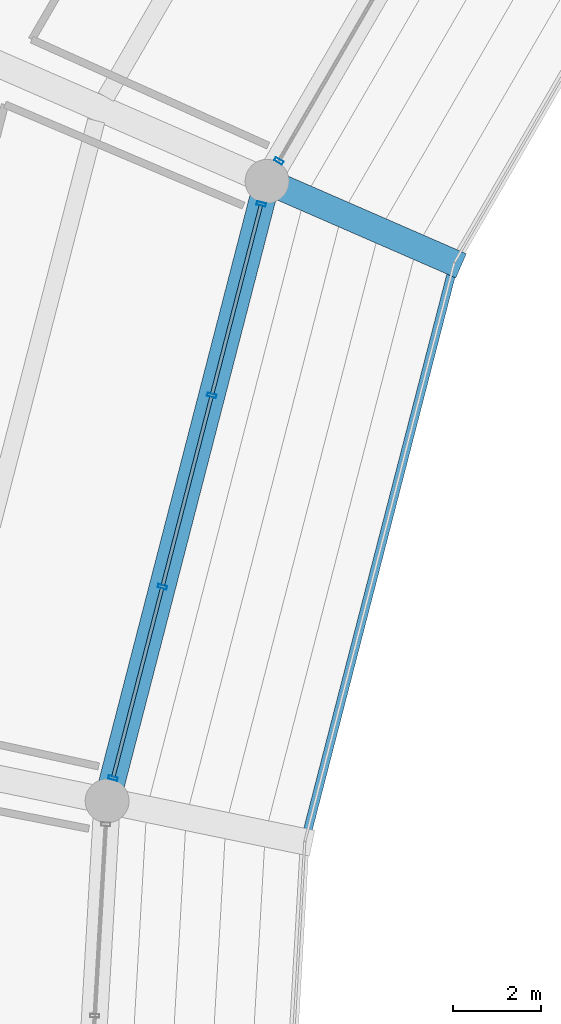
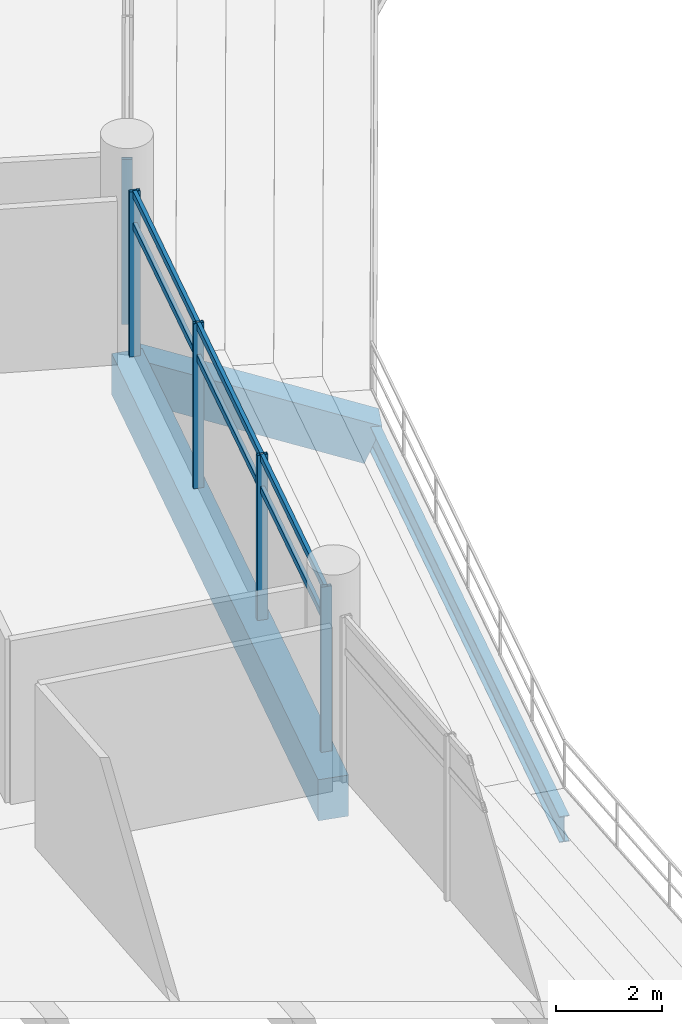
# One storey, part 45 of 171: 11 members, 3 beams, 2 elements without a shape of their own.
"""IFC4 building model written with IfcOpenShell, lengths in metres."""

from ifc_helpers import new_model, si_unit, direction, frame, origin, origin_2d, place, context, subcontext, project, spatial, rectangle, hollow_rectangle, i_section, extrude, material, layer, layer_set, material_profile, profile_set, type_object, element, aggregate, save


model = new_model("IFC4")

# Units and contexts
model_context = context("Model", 3, precision=1e-05, world=origin(), true_north=direction((0.0, 1.0)))
body_context = subcontext(model_context, "Body", "Model", "MODEL_VIEW")
ifc_project = project(units=[si_unit("LENGTHUNIT", "METRE"), si_unit("AREAUNIT", "SQUARE_METRE"), si_unit("VOLUMEUNIT", "CUBIC_METRE"), si_unit("PLANEANGLEUNIT", "RADIAN"), si_unit("MASSUNIT", "GRAM", prefix="KILO")], contexts=[model_context])

# Site, building, storey
site_placement = place(None, origin())
site = spatial("IfcSite", under=ifc_project, at=site_placement, CompositionType="ELEMENT")
building_placement = place(site_placement, origin())
building = spatial("IfcBuilding", under=site, at=building_placement, Name="Kazemori Nagisa Stadium", CompositionType="ELEMENT")
storey_placement = place(building_placement, frame((0.0, 0.0, 15.639892578125)))
storey = spatial("IfcBuildingStorey", under=building, at=storey_placement, Name="L03", CompositionType="ELEMENT", Elevation=15.639892578125)

# Beams
ifc_material_1 = material(Name="Concrete C40/50 (Fc42)", Category="concrete")
ifc_material_profile_1 = material_profile(ifc_material_1, rectangle(XDim=0.60009765625, YDim=0.949951171875, at=origin_2d()), Name="RC-BM-600x950")
ifc_profile_set_1 = profile_set([ifc_material_profile_1], Name="Concrete C40/50 (Fc42)")
beam_type_1 = type_object("IfcBeamType", Name="Beam_BG-RC600X950", PredefinedType="BEAM", material=ifc_profile_set_1)
beam_1_placement = place(storey_placement, frame((58.114013671875, 130.287109375, -0.73486328125), z_axis=(-0.249966077383, -0.9682545947, 0.0), x_axis=(0.9682545947, -0.249966077383, 0.0)))
element("IfcBeam", 1, at=beam_1_placement, inside=storey, type_object=beam_type_1, Name="Ring girder BG-RC600X950 L03 R1-13", PredefinedType="BEAM", context=body_context, shape_type="SweptSolid", body=[
    extrude(rectangle(XDim=0.60009765625, YDim=0.949951171875, at=origin_2d()), origin(), (0.0, 0.0, 1.0), 14.58984375),
])
ifc_material_2 = material(Name="Steel SN490B", Category="steel")
ifc_material_profile_2 = material_profile(ifc_material_2, i_section(OverallWidth=0.199951171875, OverallDepth=0.60009765625, WebThickness=0.010986328125, FlangeThickness=0.01708984375, FilletRadius=0.012939453125, at=origin_2d()), Name="H-600x200x11x17")
ifc_profile_set_2 = profile_set([ifc_material_profile_2], Name="Steel SN490B")
beam_type_2 = type_object("IfcBeamType", Name="Beam_BS-H600", PredefinedType="SPANDREL", material=ifc_profile_set_2)
beam_2_placement = place(storey_placement, frame((62.38037109375, 128.42724609375, -2.46484375), z_axis=(-0.249950064829, -0.968258728384, 0.0), x_axis=(0.968258728384, -0.249950064829, 0.0)))
element("IfcBeam", 2, at=beam_2_placement, inside=storey, type_object=beam_type_2, Name="Club tier front edge beam 13", PredefinedType="SPANDREL", context=body_context, shape_type="SweptSolid", body=[
    extrude(i_section(OverallWidth=0.199951171875, OverallDepth=0.60009765625, WebThickness=0.010986328125, FlangeThickness=0.01708984375, FilletRadius=0.012939453125, at=origin_2d()), origin(), (0.0, 0.0, 1.0), 13.630615234375),
])
ifc_material_profile_3 = material_profile(ifc_material_1, rectangle(XDim=0.60009765625, YDim=0.89990234375, at=origin_2d()), Name="RC-RK-600x900")
ifc_profile_set_3 = profile_set([ifc_material_profile_3], Name="Concrete C40/50 (Fc42)")
beam_type_3 = type_object("IfcBeamType", Name="Beam_RK-RC600X900", PredefinedType="USERDEFINED", material=ifc_profile_set_3)
beam_3_placement = place(storey_placement, frame((62.38037109375, 128.42724609375, -2.58984375), z_axis=(-0.848691975036, 0.369976278445, 0.377941113003), x_axis=(-0.399615937981, -0.916682661618, 0.0)))
element("IfcBeam", 3, at=beam_3_placement, inside=storey, type_object=beam_type_3, Name="Raker beam club RK2-13", ObjectType="RAKER BEAM", PredefinedType="USERDEFINED", context=body_context, shape_type="SweptSolid", body=[
    extrude(rectangle(XDim=0.60009765625, YDim=0.89990234375, at=origin_2d()), origin(), (0.0, 0.0, 1.0), 5.027099609375),
])

# Curtain wall, member
ifc_material_3 = material(Name="Anodised aluminium 6063-T5", Category="aluminium")
ifc_layer_1 = layer(ifc_material_3, 0.2099609375, Name="Anodised aluminium 6063-T5", Category="aluminium")
ifc_layer_set_1 = layer_set([ifc_layer_1], Name="Anodised aluminium 6063-T5")
curtain_wall_type_1 = type_object("IfcCurtainWallType", Name="CW_L03B_71", PredefinedType="USERDEFINED", material=ifc_layer_set_1)
curtain_wall_1_placement = place(storey_placement, origin())
curtain_wall_1 = element("IfcCurtainWall", 4, at=curtain_wall_1_placement, inside=storey, type_object=curtain_wall_type_1, Name="Unitised curtain wall CW-L03B-71 L03", ObjectType="UNITISED CURTAIN WALL", PredefinedType="USERDEFINED")
ifc_material_4 = material(Name="Aluminium 6063-T5 anodised", Category="aluminium")
ifc_material_profile_4 = material_profile(ifc_material_4, hollow_rectangle(XDim=0.080078125, YDim=0.2099609375, WallThickness=0.0048828125, at=origin_2d()), Name="ALU-MULL-80x210x5")
ifc_profile_set_4 = profile_set([ifc_material_profile_4], Name="Aluminium 6063-T5 anodised")
member_type_1 = type_object("IfcMemberType", Name="Mullion_M02", PredefinedType="MULLION", material=ifc_profile_set_4)
member_1_placement = place(storey_placement, frame((58.38232421875, 130.75, 0.0), z_axis=(0.0, 0.0, 1.0), x_axis=(-0.501611590054, -0.865092950337, 0.0)))
member_1 = element("IfcMember", 5, at=member_1_placement, type_object=member_type_1, Name="Curtain wall mullion CW-L03B-71-M4", PredefinedType="MULLION", context=body_context, shape_type="SweptSolid", body=[
    extrude(hollow_rectangle(XDim=0.080078125, YDim=0.2099609375, WallThickness=0.0048828125, at=origin_2d()), origin(), (0.0, 0.0, 1.0), 3.81005859375),
])
aggregate(curtain_wall_1, [member_1])

# Curtain wall, members
ifc_layer_2 = layer(ifc_material_3, 0.2099609375, Name="Anodised aluminium 6063-T5", Category="aluminium")
ifc_layer_set_2 = layer_set([ifc_layer_2], Name="Anodised aluminium 6063-T5")
curtain_wall_type_2 = type_object("IfcCurtainWallType", Name="CW_L03B_68", PredefinedType="USERDEFINED", material=ifc_layer_set_2)
curtain_wall_2_placement = place(storey_placement, origin())
curtain_wall_2 = element("IfcCurtainWall", 6, at=curtain_wall_2_placement, inside=storey, type_object=curtain_wall_type_2, Name="Unitised curtain wall CW-L03B-68 L03", ObjectType="UNITISED CURTAIN WALL", PredefinedType="USERDEFINED")
member_2_placement = place(storey_placement, frame((57.980224609375, 129.76904296875, 0.0), z_axis=(0.0, 0.0, 1.0), x_axis=(-0.249964642418, -0.968254965152, 0.0)))
member_2 = element("IfcMember", 7, at=member_2_placement, type_object=member_type_1, Name="Curtain wall mullion CW-L03B-68-M1", PredefinedType="MULLION", context=body_context, shape_type="SweptSolid", body=[
    extrude(hollow_rectangle(XDim=0.080078125, YDim=0.2099609375, WallThickness=0.0048828125, at=origin_2d()), origin(), (0.0, 0.0, 1.0), 3.81005859375),
])
member_3_placement = place(storey_placement, frame((56.853759765625, 125.405517578125, 0.0), z_axis=(0.0, 0.0, 1.0), x_axis=(-0.249964642418, -0.968254965152, 0.0)))
member_3 = element("IfcMember", 8, at=member_3_placement, type_object=member_type_1, Name="Curtain wall mullion CW-L03B-68-M2", PredefinedType="MULLION", context=body_context, shape_type="SweptSolid", body=[
    extrude(hollow_rectangle(XDim=0.080078125, YDim=0.2099609375, WallThickness=0.0048828125, at=origin_2d()), origin(), (0.0, 0.0, 1.0), 3.81005859375),
])
member_4_placement = place(storey_placement, frame((55.727294921875, 121.0419921875, 0.0), z_axis=(0.0, 0.0, 1.0), x_axis=(-0.249964642418, -0.968254965152, 0.0)))
member_4 = element("IfcMember", 9, at=member_4_placement, type_object=member_type_1, Name="Curtain wall mullion CW-L03B-68-M3", PredefinedType="MULLION", context=body_context, shape_type="SweptSolid", body=[
    extrude(hollow_rectangle(XDim=0.080078125, YDim=0.2099609375, WallThickness=0.0048828125, at=origin_2d()), origin(), (0.0, 0.0, 1.0), 3.81005859375),
])
member_5_placement = place(storey_placement, frame((54.600830078125, 116.67822265625, 0.0), z_axis=(0.0, 0.0, 1.0), x_axis=(-0.249964642418, -0.968254965152, 0.0)))
member_5 = element("IfcMember", 10, at=member_5_placement, type_object=member_type_1, Name="Curtain wall mullion CW-L03B-68-M4", PredefinedType="MULLION", context=body_context, shape_type="SweptSolid", body=[
    extrude(hollow_rectangle(XDim=0.080078125, YDim=0.2099609375, WallThickness=0.0048828125, at=origin_2d()), origin(), (0.0, 0.0, 1.0), 3.81005859375),
])
ifc_material_profile_5 = material_profile(ifc_material_4, hollow_rectangle(XDim=0.080078125, YDim=0.159912109375, WallThickness=0.00390625, at=origin_2d()), Name="ALU-TRAN-80x160x4")
ifc_profile_set_5 = profile_set([ifc_material_profile_5], Name="Aluminium 6063-T5 anodised")
member_type_2 = type_object("IfcMemberType", Name="Transom_T02", PredefinedType="USERDEFINED", material=ifc_profile_set_5)
member_6_placement = place(storey_placement, frame((57.975341796875, 129.749755859375, 3.010009765625), z_axis=(-0.25000034168, -0.96824574833, 0.0), x_axis=(0.96824574833, -0.25000034168, 0.0)))
member_6 = element("IfcMember", 11, at=member_6_placement, type_object=member_type_2, Name="Curtain wall transom CW-L03B-68-T1-mid", ObjectType="TRANSOM", PredefinedType="USERDEFINED", context=body_context, shape_type="SweptSolid", body=[
    extrude(hollow_rectangle(XDim=0.080078125, YDim=0.159912109375, WallThickness=0.00390625, at=origin_2d()), origin(), (0.0, 0.0, 1.0), 4.466796875),
])
member_7_placement = place(storey_placement, frame((57.975341796875, 129.749755859375, 3.739990234375), z_axis=(-0.25000034168, -0.96824574833, 0.0), x_axis=(0.96824574833, -0.25000034168, 0.0)))
member_7 = element("IfcMember", 12, at=member_7_placement, type_object=member_type_2, Name="Curtain wall transom CW-L03B-68-T1-head", ObjectType="TRANSOM", PredefinedType="USERDEFINED", context=body_context, shape_type="SweptSolid", body=[
    extrude(hollow_rectangle(XDim=0.080078125, YDim=0.159912109375, WallThickness=0.00390625, at=origin_2d()), origin(), (0.0, 0.0, 1.0), 4.466796875),
])
member_8_placement = place(storey_placement, frame((56.848876953125, 125.38623046875, 3.010009765625), z_axis=(-0.25000034168, -0.96824574833, 0.0), x_axis=(0.96824574833, -0.25000034168, 0.0)))
member_8 = element("IfcMember", 13, at=member_8_placement, type_object=member_type_2, Name="Curtain wall transom CW-L03B-68-T2-mid", ObjectType="TRANSOM", PredefinedType="USERDEFINED", context=body_context, shape_type="SweptSolid", body=[
    extrude(hollow_rectangle(XDim=0.080078125, YDim=0.159912109375, WallThickness=0.00390625, at=origin_2d()), origin(), (0.0, 0.0, 1.0), 4.466796875),
])
member_9_placement = place(storey_placement, frame((56.848876953125, 125.38623046875, 3.739990234375), z_axis=(-0.25000034168, -0.96824574833, 0.0), x_axis=(0.96824574833, -0.25000034168, 0.0)))
member_9 = element("IfcMember", 14, at=member_9_placement, type_object=member_type_2, Name="Curtain wall transom CW-L03B-68-T2-head", ObjectType="TRANSOM", PredefinedType="USERDEFINED", context=body_context, shape_type="SweptSolid", body=[
    extrude(hollow_rectangle(XDim=0.080078125, YDim=0.159912109375, WallThickness=0.00390625, at=origin_2d()), origin(), (0.0, 0.0, 1.0), 4.466796875),
])
member_10_placement = place(storey_placement, frame((55.72216796875, 121.0224609375, 3.010009765625), z_axis=(-0.249962328516, -0.968255562505, 0.0), x_axis=(0.968255562505, -0.249962328516, 0.0)))
member_10 = element("IfcMember", 15, at=member_10_placement, type_object=member_type_2, Name="Curtain wall transom CW-L03B-68-T3-mid", ObjectType="TRANSOM", PredefinedType="USERDEFINED", context=body_context, shape_type="SweptSolid", body=[
    extrude(hollow_rectangle(XDim=0.080078125, YDim=0.159912109375, WallThickness=0.00390625, at=origin_2d()), origin(), (0.0, 0.0, 1.0), 4.466552734375),
])
member_11_placement = place(storey_placement, frame((55.72216796875, 121.0224609375, 3.739990234375), z_axis=(-0.249962328516, -0.968255562505, 0.0), x_axis=(0.968255562505, -0.249962328516, 0.0)))
member_11 = element("IfcMember", 16, at=member_11_placement, type_object=member_type_2, Name="Curtain wall transom CW-L03B-68-T3-head", ObjectType="TRANSOM", PredefinedType="USERDEFINED", context=body_context, shape_type="SweptSolid", body=[
    extrude(hollow_rectangle(XDim=0.080078125, YDim=0.159912109375, WallThickness=0.00390625, at=origin_2d()), origin(), (0.0, 0.0, 1.0), 4.466552734375),
])
aggregate(curtain_wall_2, [member_2, member_3, member_4, member_5, member_6, member_7, member_8, member_9, member_10, member_11])

save(model, "model.ifc")
